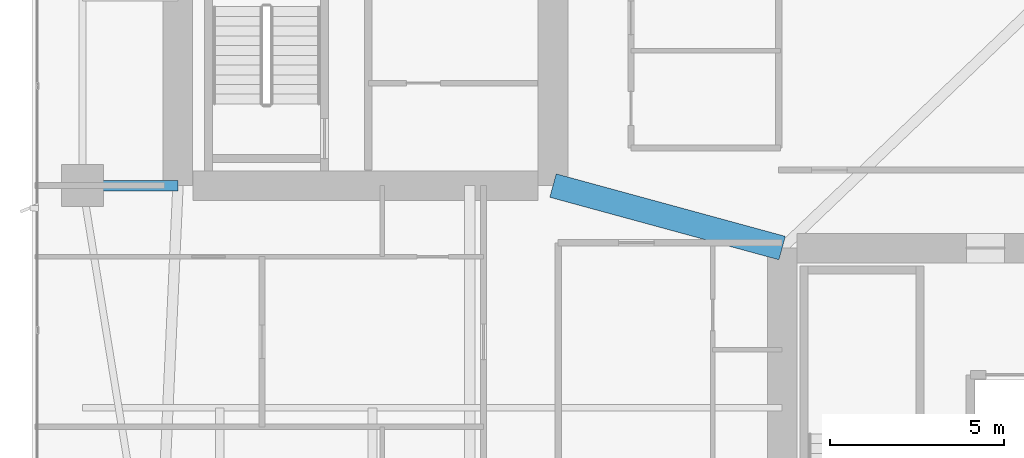
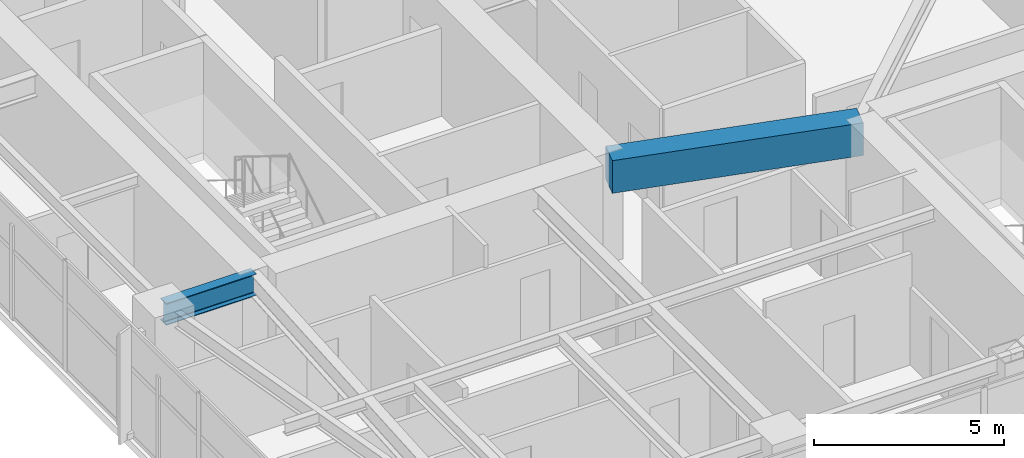
# One storey, part 7 of 29: 2 beams.
"""IFC4 building model written with IfcOpenShell, lengths in metres."""

from ifc_helpers import new_model, si_unit, direction, frame, origin, origin_2d, place, context, subcontext, project, spatial, rectangle, i_section, extrude, material, material_profile, profile_set, type_object, element, save


model = new_model("IFC4")

# Units and contexts
model_context = context("Model", 3, precision=1e-05, world=origin(), true_north=direction((0.0, 1.0)))
body_context = subcontext(model_context, "Body", "Model", "MODEL_VIEW")
ifc_project = project(units=[si_unit("LENGTHUNIT", "METRE"), si_unit("AREAUNIT", "SQUARE_METRE"), si_unit("VOLUMEUNIT", "CUBIC_METRE"), si_unit("PLANEANGLEUNIT", "RADIAN"), si_unit("MASSUNIT", "GRAM", prefix="KILO")], contexts=[model_context])

# Site, building, storey
site_placement = place(None, origin())
site = spatial("IfcSite", under=ifc_project, at=site_placement, CompositionType="ELEMENT")
building_placement = place(site_placement, origin())
building = spatial("IfcBuilding", under=site, at=building_placement, Name="Calvorn Quay Hotel", CompositionType="ELEMENT")
storey_placement = place(building_placement, frame((0.0, 0.0, 120.199951171875)))
storey = spatial("IfcBuildingStorey", under=building, at=storey_placement, Name="L29", CompositionType="ELEMENT", Elevation=120.199951171875)

# Beams
ifc_material_1 = material(Name="Steel Q390GJC", Category="steel")
ifc_material_profile_1 = material_profile(ifc_material_1, i_section(OverallWidth=0.300048828125, OverallDepth=0.699951171875, WebThickness=0.012939453125, FlangeThickness=0.02392578125, FilletRadius=0.02392578125, at=origin_2d()), Name="HN700x300x13x24")
ifc_profile_set_1 = profile_set([ifc_material_profile_1], Name="Steel Q390GJC")
beam_type_1 = type_object("IfcBeamType", Name="BM-GIRD-MAIN", PredefinedType="BEAM", material=ifc_profile_set_1)
beam_1_placement = place(storey_placement, frame((1.449951171875, 16.800048828125, 3.18994140625), z_axis=(1.0, 0.0, 0.0), x_axis=(0.0, 1.0, 0.0)))
element("IfcBeam", 1, at=beam_1_placement, inside=storey, type_object=beam_type_1, Name="Beam BG-L29-W1", PredefinedType="BEAM", context=body_context, shape_type="SweptSolid", body=[
    extrude(i_section(OverallWidth=0.300048828125, OverallDepth=0.699951171875, WebThickness=0.012939453125, FlangeThickness=0.02392578125, FilletRadius=0.02392578125, at=origin_2d()), origin(), (0.0, 0.0, 1.0), 2.75),
])
ifc_material_2 = material(Name="Concrete C50", Category="concrete")
ifc_material_profile_2 = material_profile(ifc_material_2, rectangle(XDim=0.699951171875, YDim=1.050048828125, at=origin_2d()), Name="RCB700x1050")
ifc_profile_set_2 = profile_set([ifc_material_profile_2], Name="Concrete C50")
beam_type_2 = type_object("IfcBeamType", Name="BM-RC-LINK-700x1050", PredefinedType="BEAM", material=ifc_profile_set_2)
beam_2_placement = place(storey_placement, frame((15.0, 16.800048828125, 3.01513671875), z_axis=(0.964762997686, -0.263120425462, 0.0), x_axis=(0.263120425462, 0.964762997686, 0.0)))
element("IfcBeam", 2, at=beam_2_placement, inside=storey, type_object=beam_type_2, Name="Beam BCL-L29-01", PredefinedType="BEAM", context=body_context, shape_type="SweptSolid", body=[
    extrude(rectangle(XDim=0.699951171875, YDim=1.050048828125, at=origin_2d()), origin(), (0.0, 0.0, 1.0), 6.841064453125),
])

save(model, "model.ifc")
